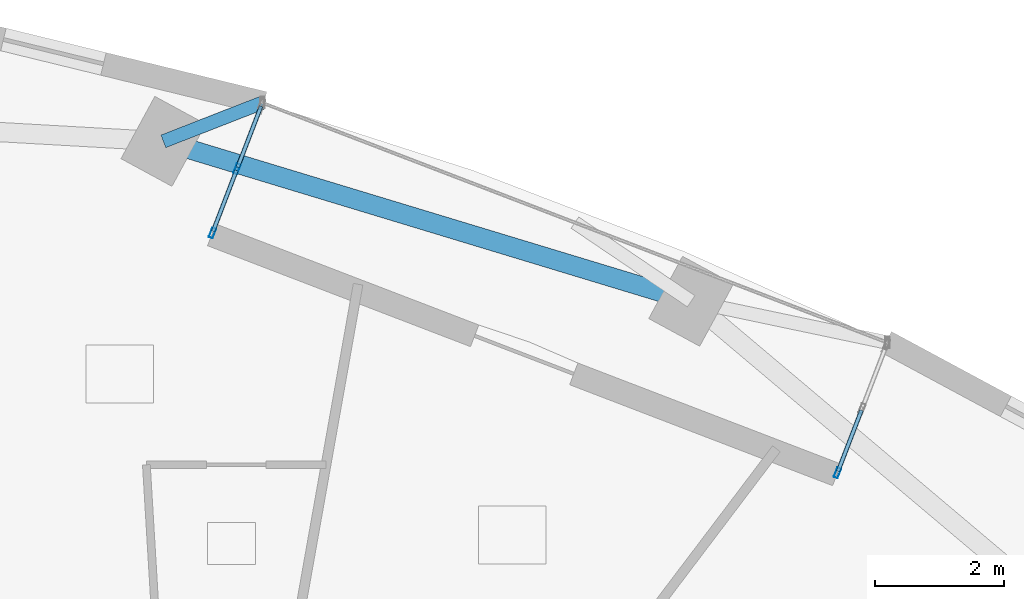
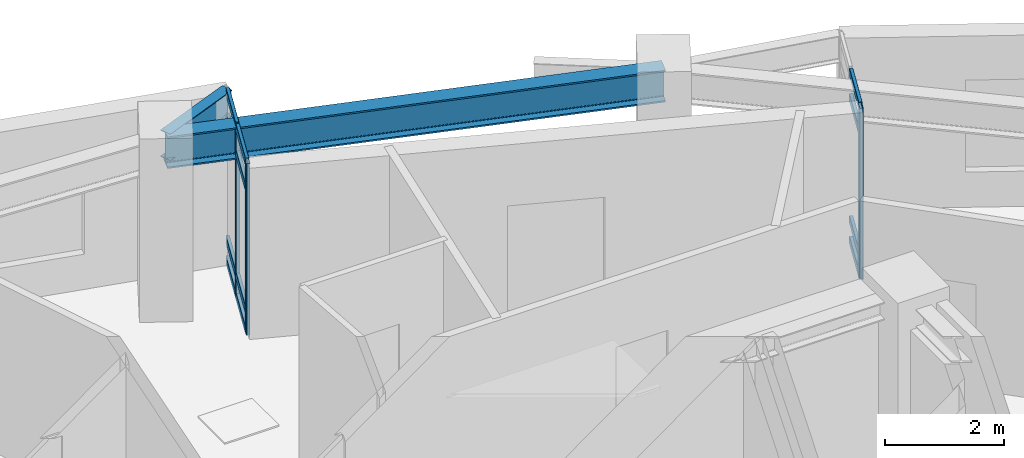
# One storey, part 2 of 13: 15 members, 2 beams, 2 elements without a shape of their own.
"""IFC4 building model written with IfcOpenShell, lengths in metres."""

from ifc_helpers import new_model, si_unit, direction, frame, origin, origin_2d, place, context, subcontext, project, spatial, hollow_rectangle, i_section, extrude, material, layer, layer_set, material_profile, profile_set, type_object, element, aggregate, save


model = new_model("IFC4")

# Units and contexts
model_context = context("Model", 3, precision=1e-05, world=origin(), true_north=direction((0.0, 1.0)))
body_context = subcontext(model_context, "Body", "Model", "MODEL_VIEW")
ifc_project = project(units=[si_unit("LENGTHUNIT", "METRE"), si_unit("AREAUNIT", "SQUARE_METRE"), si_unit("VOLUMEUNIT", "CUBIC_METRE"), si_unit("PLANEANGLEUNIT", "RADIAN"), si_unit("MASSUNIT", "GRAM", prefix="KILO")], contexts=[model_context])

# Site, building, storey
site_placement = place(None, origin())
site = spatial("IfcSite", under=ifc_project, at=site_placement, CompositionType="ELEMENT")
building_placement = place(site_placement, origin())
building = spatial("IfcBuilding", under=site, at=building_placement, Name="Ndelora Gate Hotel", CompositionType="ELEMENT")
storey_placement = place(building_placement, frame((0.0, 0.0, 157.25)))
storey = spatial("IfcBuildingStorey", under=building, at=storey_placement, Name="L39", CompositionType="ELEMENT", Elevation=157.25)

# Beams
ifc_material_1 = material(Name="Steel S355", Category="steel")
ifc_material_profile_1 = material_profile(ifc_material_1, i_section(OverallWidth=0.2099609375, OverallDepth=0.550048828125, WebThickness=0.010986328125, FlangeThickness=0.01708984375, FilletRadius=0.02392578125, at=origin_2d()), Name="IPE 550")
ifc_profile_set_1 = profile_set([ifc_material_profile_1], Name="Steel S355")
beam_type_1 = type_object("IfcBeamType", Name="BM-RAD-550", PredefinedType="BEAM", material=ifc_profile_set_1)
beam_1_placement = place(storey_placement, frame((-0.439208984375, 16.7744140625, 3.22509765625), z_axis=(0.931482386127, 0.363786426815, 0.0), x_axis=(-0.363786426815, 0.931482386127, 0.0)))
element("IfcBeam", 1, at=beam_1_placement, inside=storey, type_object=beam_type_1, Name="L39 Sky-Garden Loggia Column Bracket 3", PredefinedType="BEAM", context=body_context, shape_type="SweptSolid", body=[
    extrude(i_section(OverallWidth=0.2099609375, OverallDepth=0.550048828125, WebThickness=0.010986328125, FlangeThickness=0.01708984375, FilletRadius=0.02392578125, at=origin_2d()), origin(), (0.0, 0.0, 1.0), 1.65234375),
])
ifc_material_profile_2 = material_profile(ifc_material_1, i_section(OverallWidth=0.300048828125, OverallDepth=0.64990234375, WebThickness=0.01611328125, FlangeThickness=0.031005859375, FilletRadius=0.027099609375, at=origin_2d()), Name="HEB 650")
ifc_profile_set_2 = profile_set([ifc_material_profile_2], Name="Steel S355")
beam_type_2 = type_object("IfcBeamType", Name="BM-RING-650", PredefinedType="SPANDREL", material=ifc_profile_set_2)
beam_2_placement = place(storey_placement, frame((7.759033203125, 14.290283203125, 3.175048828125), z_axis=(-0.957030396662, 0.289987620192, 0.0), x_axis=(-0.289987620192, -0.957030396662, 0.0)))
element("IfcBeam", 2, at=beam_2_placement, inside=storey, type_object=beam_type_2, Name="L39 Perimeter Spandrel Girder 11", PredefinedType="SPANDREL", context=body_context, shape_type="SweptSolid", body=[
    extrude(i_section(OverallWidth=0.300048828125, OverallDepth=0.64990234375, WebThickness=0.01611328125, FlangeThickness=0.031005859375, FilletRadius=0.027099609375, at=origin_2d()), origin(), (0.0, 0.0, 1.0), 8.56640625),
])

# Curtain wall, member
ifc_material_2 = material(Name="Bronze Anodised Unitised Aluminium and Low-E Glass", Category="aluminium")
ifc_layer = layer(ifc_material_2, 0.199951171875)
ifc_layer_set = layer_set([ifc_layer], Name="Bronze Anodised Unitised Aluminium and Low-E Glass")
curtain_wall_type = type_object("IfcCurtainWallType", Name="CW-SYS-3", PredefinedType="NOTDEFINED", material=ifc_layer_set)
curtain_wall_1_placement = place(storey_placement, origin())
curtain_wall_1 = element("IfcCurtainWall", 3, at=curtain_wall_1_placement, inside=storey, type_object=curtain_wall_type, Name="L39 Sky-Garden Loggia Side Curtain Wall CW3-1", PredefinedType="NOTDEFINED")
ifc_material_3 = material(Name="Bronze Anodised Aluminium 6063-T6", Category="aluminium")
ifc_material_profile_3 = material_profile(ifc_material_3, hollow_rectangle(XDim=0.06494140625, YDim=0.159912109375, WallThickness=0.00390625, InnerFilletRadius=0.00390625, OuterFilletRadius=0.008056640625, at=origin_2d()), Name="ALU 160x65x4")
ifc_profile_set_3 = profile_set([ifc_material_profile_3], Name="Bronze Anodised Aluminium 6063-T6")
member_type_1 = type_object("IfcMemberType", Name="MB-CW-MUL150", PredefinedType="MULLION", material=ifc_profile_set_3)
member_1_placement = place(storey_placement, frame((10.0322265625, 11.625, -0.00390625), z_axis=(0.0, 0.0, 1.0), x_axis=(-0.93358321574, 0.358360683234, 0.0)))
member_1 = element("IfcMember", 4, at=member_1_placement, type_object=member_type_1, Name="CW3 mullion 1", PredefinedType="MULLION", context=body_context, shape_type="SweptSolid", body=[
    extrude(hollow_rectangle(XDim=0.06494140625, YDim=0.159912109375, WallThickness=0.00390625, InnerFilletRadius=0.00390625, OuterFilletRadius=0.008056640625, at=origin_2d()), origin(), (0.0, 0.0, 1.0), 3.5078125),
])

# Curtain wall, members
curtain_wall_2_placement = place(storey_placement, origin())
curtain_wall_2 = element("IfcCurtainWall", 5, at=curtain_wall_2_placement, inside=storey, type_object=curtain_wall_type, Name="L39 Sky-Garden Loggia Side Curtain Wall CW3-2", PredefinedType="NOTDEFINED")
member_2_placement = place(storey_placement, frame((0.705810546875, 16.3486328125, -0.00390625), z_axis=(0.0, 0.0, 1.0), x_axis=(0.933577378035, -0.35837589096, 0.0)))
member_2 = element("IfcMember", 6, at=member_2_placement, type_object=member_type_1, Name="CW3 mullion 2", PredefinedType="MULLION", context=body_context, shape_type="SweptSolid", body=[
    extrude(hollow_rectangle(XDim=0.06494140625, YDim=0.159912109375, WallThickness=0.00390625, InnerFilletRadius=0.00390625, OuterFilletRadius=0.008056640625, at=origin_2d()), origin(), (0.0, 0.0, 1.0), 3.5078125),
])
member_3_placement = place(storey_placement, frame((0.3232421875, 15.35205078125, -0.00390625), z_axis=(0.0, 0.0, 1.0), x_axis=(0.933577378035, -0.35837589096, 0.0)))
member_3 = element("IfcMember", 7, at=member_3_placement, type_object=member_type_1, Name="CW3 mullion 3", PredefinedType="MULLION", context=body_context, shape_type="SweptSolid", body=[
    extrude(hollow_rectangle(XDim=0.06494140625, YDim=0.159912109375, WallThickness=0.00390625, InnerFilletRadius=0.00390625, OuterFilletRadius=0.008056640625, at=origin_2d()), origin(), (0.0, 0.0, 1.0), 3.5078125),
])

# Member
ifc_material_profile_4 = material_profile(ifc_material_3, hollow_rectangle(XDim=0.06494140625, YDim=0.159912109375, WallThickness=0.00390625, InnerFilletRadius=0.00390625, OuterFilletRadius=0.008056640625, at=origin_2d()), Name="ALU 160x65x4")
ifc_profile_set_4 = profile_set([ifc_material_profile_4], Name="Bronze Anodised Aluminium 6063-T6")
member_type_2 = type_object("IfcMemberType", Name="MB-CW-TRN150", PredefinedType="USERDEFINED", material=ifc_profile_set_4)
member_4_placement = place(storey_placement, frame((10.041748046875, 11.649658203125, 0.032470703125), z_axis=(0.358495348874, 0.933531512503, 0.0), x_axis=(-0.933531512503, 0.358495348874, 0.0)))
member_4 = element("IfcMember", 8, at=member_4_placement, type_object=member_type_2, Name="CW3 transom 1.1", ObjectType="TRANSOM", PredefinedType="USERDEFINED", context=body_context, shape_type="SweptSolid", body=[
    extrude(hollow_rectangle(XDim=0.06494140625, YDim=0.159912109375, WallThickness=0.00390625, InnerFilletRadius=0.00390625, OuterFilletRadius=0.008056640625, at=origin_2d()), origin(), (0.0, 0.0, 1.0), 1.0146484375),
])

member_5_placement = place(storey_placement, frame((10.041748046875, 11.649658203125, 0.449951171875), z_axis=(0.358495348874, 0.933531512503, 0.0), x_axis=(-0.933531512503, 0.358495348874, 0.0)))
member_5 = element("IfcMember", 9, at=member_5_placement, type_object=member_type_2, Name="CW3 transom 1.2", ObjectType="TRANSOM", PredefinedType="USERDEFINED", context=body_context, shape_type="SweptSolid", body=[
    extrude(hollow_rectangle(XDim=0.06494140625, YDim=0.159912109375, WallThickness=0.00390625, InnerFilletRadius=0.00390625, OuterFilletRadius=0.008056640625, at=origin_2d()), origin(), (0.0, 0.0, 1.0), 1.0146484375),
])

member_6_placement = place(storey_placement, frame((10.041748046875, 11.649658203125, 2.949951171875), z_axis=(0.358495348874, 0.933531512503, 0.0), x_axis=(-0.933531512503, 0.358495348874, 0.0)))
member_6 = element("IfcMember", 10, at=member_6_placement, type_object=member_type_2, Name="CW3 transom 1.3", ObjectType="TRANSOM", PredefinedType="USERDEFINED", context=body_context, shape_type="SweptSolid", body=[
    extrude(hollow_rectangle(XDim=0.06494140625, YDim=0.159912109375, WallThickness=0.00390625, InnerFilletRadius=0.00390625, OuterFilletRadius=0.008056640625, at=origin_2d()), origin(), (0.0, 0.0, 1.0), 1.0146484375),
])

member_7_placement = place(storey_placement, frame((10.041748046875, 11.649658203125, 3.467529296875), z_axis=(0.358495348874, 0.933531512503, 0.0), x_axis=(-0.933531512503, 0.358495348874, 0.0)))
member_7 = element("IfcMember", 11, at=member_7_placement, type_object=member_type_2, Name="CW3 transom 1.4", ObjectType="TRANSOM", PredefinedType="USERDEFINED", context=body_context, shape_type="SweptSolid", body=[
    extrude(hollow_rectangle(XDim=0.06494140625, YDim=0.159912109375, WallThickness=0.00390625, InnerFilletRadius=0.00390625, OuterFilletRadius=0.008056640625, at=origin_2d()), origin(), (0.0, 0.0, 1.0), 1.0146484375),
])

aggregate(curtain_wall_1, [member_1, member_4, member_5, member_6, member_7])

member_8_placement = place(storey_placement, frame((1.078857421875, 17.3203125, 0.032470703125), z_axis=(-0.358575886741, -0.933500580315, 0.0), x_axis=(0.933500580315, -0.358575886741, 0.0)))
member_8 = element("IfcMember", 12, at=member_8_placement, type_object=member_type_2, Name="CW3 transom 1.1", ObjectType="TRANSOM", PredefinedType="USERDEFINED", context=body_context, shape_type="SweptSolid", body=[
    extrude(hollow_rectangle(XDim=0.06494140625, YDim=0.159912109375, WallThickness=0.00390625, InnerFilletRadius=0.00390625, OuterFilletRadius=0.008056640625, at=origin_2d()), origin(), (0.0, 0.0, 1.0), 1.014404296875),
])

member_9_placement = place(storey_placement, frame((1.078857421875, 17.3203125, 0.449951171875), z_axis=(-0.358575886741, -0.933500580315, 0.0), x_axis=(0.933500580315, -0.358575886741, 0.0)))
member_9 = element("IfcMember", 13, at=member_9_placement, type_object=member_type_2, Name="CW3 transom 1.2", ObjectType="TRANSOM", PredefinedType="USERDEFINED", context=body_context, shape_type="SweptSolid", body=[
    extrude(hollow_rectangle(XDim=0.06494140625, YDim=0.159912109375, WallThickness=0.00390625, InnerFilletRadius=0.00390625, OuterFilletRadius=0.008056640625, at=origin_2d()), origin(), (0.0, 0.0, 1.0), 1.014404296875),
])

member_10_placement = place(storey_placement, frame((1.078857421875, 17.3203125, 2.949951171875), z_axis=(-0.358575886741, -0.933500580315, 0.0), x_axis=(0.933500580315, -0.358575886741, 0.0)))
member_10 = element("IfcMember", 14, at=member_10_placement, type_object=member_type_2, Name="CW3 transom 1.3", ObjectType="TRANSOM", PredefinedType="USERDEFINED", context=body_context, shape_type="SweptSolid", body=[
    extrude(hollow_rectangle(XDim=0.06494140625, YDim=0.159912109375, WallThickness=0.00390625, InnerFilletRadius=0.00390625, OuterFilletRadius=0.008056640625, at=origin_2d()), origin(), (0.0, 0.0, 1.0), 1.014404296875),
])

member_11_placement = place(storey_placement, frame((1.078857421875, 17.3203125, 3.467529296875), z_axis=(-0.358575886741, -0.933500580315, 0.0), x_axis=(0.933500580315, -0.358575886741, 0.0)))
member_11 = element("IfcMember", 15, at=member_11_placement, type_object=member_type_2, Name="CW3 transom 1.4", ObjectType="TRANSOM", PredefinedType="USERDEFINED", context=body_context, shape_type="SweptSolid", body=[
    extrude(hollow_rectangle(XDim=0.06494140625, YDim=0.159912109375, WallThickness=0.00390625, InnerFilletRadius=0.00390625, OuterFilletRadius=0.008056640625, at=origin_2d()), origin(), (0.0, 0.0, 1.0), 1.014404296875),
])

member_12_placement = place(storey_placement, frame((0.6962890625, 16.323974609375, 0.032470703125), z_axis=(-0.358285642609, -0.933612017007, 0.0), x_axis=(0.933612017007, -0.358285642609, 0.0)))
member_12 = element("IfcMember", 16, at=member_12_placement, type_object=member_type_2, Name="CW3 transom 2.1", ObjectType="TRANSOM", PredefinedType="USERDEFINED", context=body_context, shape_type="SweptSolid", body=[
    extrude(hollow_rectangle(XDim=0.06494140625, YDim=0.159912109375, WallThickness=0.00390625, InnerFilletRadius=0.00390625, OuterFilletRadius=0.008056640625, at=origin_2d()), origin(), (0.0, 0.0, 1.0), 1.0146484375),
])

member_13_placement = place(storey_placement, frame((0.6962890625, 16.323974609375, 0.449951171875), z_axis=(-0.358285642609, -0.933612017007, 0.0), x_axis=(0.933612017007, -0.358285642609, 0.0)))
member_13 = element("IfcMember", 17, at=member_13_placement, type_object=member_type_2, Name="CW3 transom 2.2", ObjectType="TRANSOM", PredefinedType="USERDEFINED", context=body_context, shape_type="SweptSolid", body=[
    extrude(hollow_rectangle(XDim=0.06494140625, YDim=0.159912109375, WallThickness=0.00390625, InnerFilletRadius=0.00390625, OuterFilletRadius=0.008056640625, at=origin_2d()), origin(), (0.0, 0.0, 1.0), 1.0146484375),
])

member_14_placement = place(storey_placement, frame((0.6962890625, 16.323974609375, 2.949951171875), z_axis=(-0.358285642609, -0.933612017007, 0.0), x_axis=(0.933612017007, -0.358285642609, 0.0)))
member_14 = element("IfcMember", 18, at=member_14_placement, type_object=member_type_2, Name="CW3 transom 2.3", ObjectType="TRANSOM", PredefinedType="USERDEFINED", context=body_context, shape_type="SweptSolid", body=[
    extrude(hollow_rectangle(XDim=0.06494140625, YDim=0.159912109375, WallThickness=0.00390625, InnerFilletRadius=0.00390625, OuterFilletRadius=0.008056640625, at=origin_2d()), origin(), (0.0, 0.0, 1.0), 1.0146484375),
])

member_15_placement = place(storey_placement, frame((0.6962890625, 16.323974609375, 3.467529296875), z_axis=(-0.358285642609, -0.933612017007, 0.0), x_axis=(0.933612017007, -0.358285642609, 0.0)))
member_15 = element("IfcMember", 19, at=member_15_placement, type_object=member_type_2, Name="CW3 transom 2.4", ObjectType="TRANSOM", PredefinedType="USERDEFINED", context=body_context, shape_type="SweptSolid", body=[
    extrude(hollow_rectangle(XDim=0.06494140625, YDim=0.159912109375, WallThickness=0.00390625, InnerFilletRadius=0.00390625, OuterFilletRadius=0.008056640625, at=origin_2d()), origin(), (0.0, 0.0, 1.0), 1.0146484375),
])

aggregate(curtain_wall_2, [member_2, member_3, member_8, member_9, member_10, member_11, member_12, member_13, member_14, member_15])

save(model, "model.ifc")
